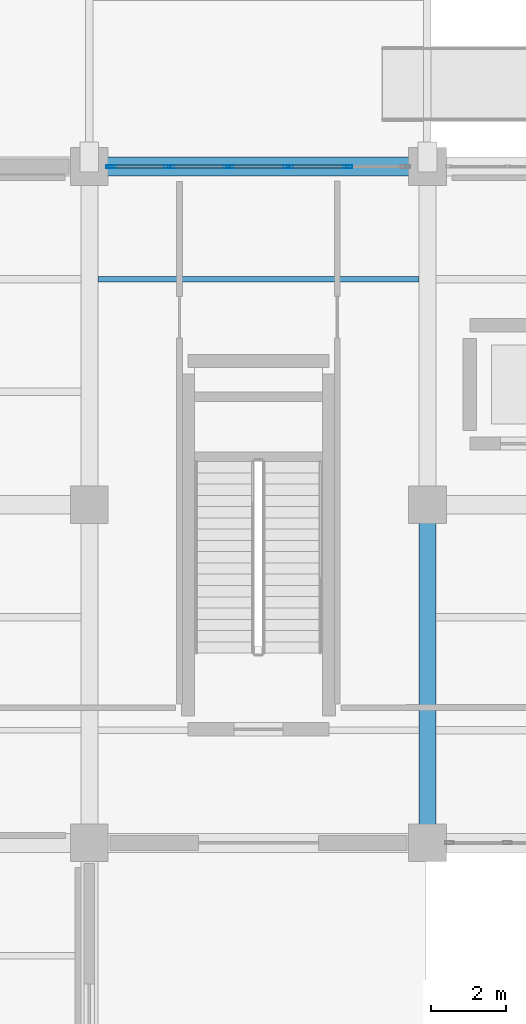
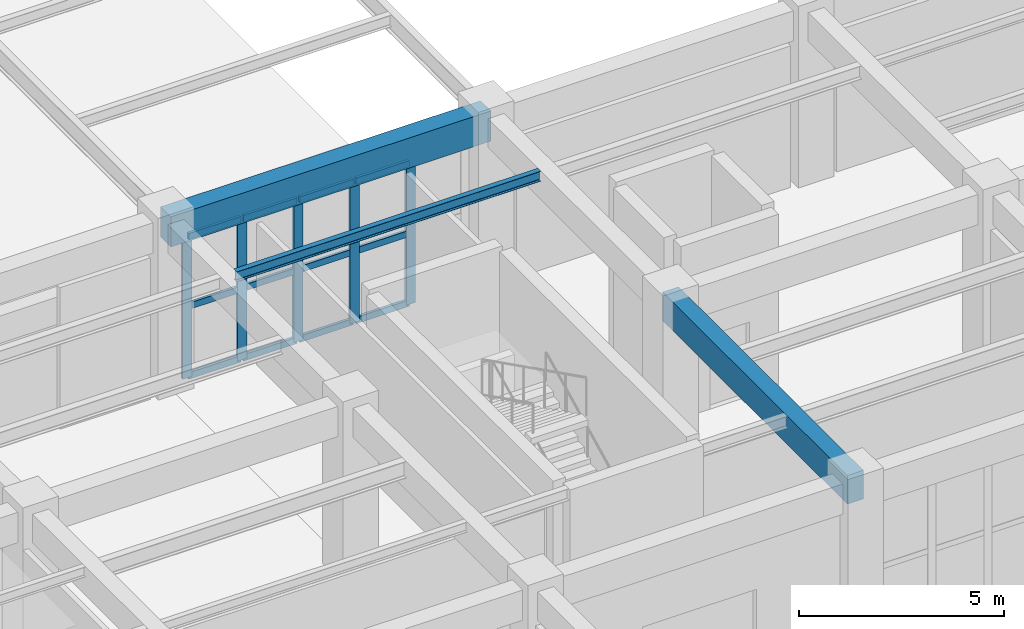
# One storey, part 80 of 140: 17 members, 3 beams, 1 element without a shape of its own.
"""IFC4 building model written with IfcOpenShell, lengths in metres."""

from ifc_helpers import new_model, si_unit, direction, frame, origin, origin_2d, place, context, subcontext, project, spatial, rectangle, hollow_rectangle, i_section, extrude, material, material_profile, profile_set, type_object, element, aggregate, save


model = new_model("IFC4")

# Units and contexts
model_context = context("Model", 3, precision=1e-05, world=origin(), true_north=direction((0.0, 1.0)))
body_context = subcontext(model_context, "Body", "Model", "MODEL_VIEW")
ifc_project = project(units=[si_unit("LENGTHUNIT", "METRE"), si_unit("AREAUNIT", "SQUARE_METRE"), si_unit("VOLUMEUNIT", "CUBIC_METRE"), si_unit("PLANEANGLEUNIT", "RADIAN"), si_unit("MASSUNIT", "GRAM", prefix="KILO")], contexts=[model_context])

# Site, building, storey
site_placement = place(None, origin())
site = spatial("IfcSite", under=ifc_project, at=site_placement, CompositionType="ELEMENT")
building_placement = place(site_placement, origin())
building = spatial("IfcBuilding", under=site, at=building_placement, Name="Haizhuo Lancet Aquarium", CompositionType="ELEMENT")
storey_placement = place(building_placement, origin())
storey = spatial("IfcBuildingStorey", under=building, at=storey_placement, Name="L00", CompositionType="ELEMENT", Elevation=0.0)

# Beams
ifc_material_1 = material(Name="Concrete C40/50", Category="concrete")
ifc_material_profile_1 = material_profile(ifc_material_1, rectangle(XDim=0.449951171875, YDim=0.85009765625, at=origin_2d()), Name="RC-BM 450x850")
ifc_profile_set_1 = profile_set([ifc_material_profile_1], Name="Concrete C40/50")
beam_type_1 = type_object("IfcBeamType", Name="BM-RC-450x850", PredefinedType="BEAM", material=ifc_profile_set_1)
beam_1_placement = place(storey_placement, frame((63.0, -27.0, 4.695068359375), z_axis=(0.0, 1.0, 0.0), x_axis=(-1.0, 0.0, 0.0)))
element("IfcBeam", 1, at=beam_1_placement, inside=storey, type_object=beam_type_1, Name="L00 V3 primary girder BM-L00-V3-026", PredefinedType="BEAM", context=body_context, shape_type="SweptSolid", body=[
    extrude(rectangle(XDim=0.449951171875, YDim=0.85009765625, at=origin_2d()), origin(), (0.0, 0.0, 1.0), 9.0),
])
ifc_material_profile_2 = material_profile(ifc_material_1, rectangle(XDim=0.5, YDim=0.89990234375, at=origin_2d()), Name="RC-BM 500x900")
ifc_profile_set_2 = profile_set([ifc_material_profile_2], Name="Concrete C40/50")
beam_type_2 = type_object("IfcBeamType", Name="BM-RC-500x900", PredefinedType="BEAM", material=ifc_profile_set_2)
beam_2_placement = place(storey_placement, frame((54.0, -9.0, 4.669921875), z_axis=(1.0, 0.0, 0.0), x_axis=(0.0, 1.0, 0.0)))
element("IfcBeam", 2, at=beam_2_placement, inside=storey, type_object=beam_type_2, Name="L00 V3 primary girder BM-L00-V3-025", PredefinedType="BEAM", context=body_context, shape_type="SweptSolid", body=[
    extrude(rectangle(XDim=0.5, YDim=0.89990234375, at=origin_2d()), origin(), (0.0, 0.0, 1.0), 9.0),
])

# Curtain wall, members
ifc_material_2 = material(Name="Aluminium 6063-T6", Category="aluminium")
curtain_wall_type = type_object("IfcCurtainWallType", Name="CWO-7910x4220", PredefinedType="NOTDEFINED", material=ifc_material_2)
curtain_wall_placement = place(storey_placement, origin())
curtain_wall = element("IfcCurtainWall", 3, at=curtain_wall_placement, inside=storey, type_object=curtain_wall_type, Name="L00 curtain wall CW-V3-L00-030", PredefinedType="NOTDEFINED")
ifc_material_profile_3 = material_profile(ifc_material_2, hollow_rectangle(XDim=0.080078125, YDim=0.260009765625, WallThickness=0.0048828125, at=origin_2d()), Name="ALU-M 80x260x5")
ifc_profile_set_3 = profile_set([ifc_material_profile_3], Name="Aluminium 6063-T6")
member_type_1 = type_object("IfcMemberType", Name="CW-MUL-3", PredefinedType="MULLION", material=ifc_profile_set_3)
member_1_placement = place(storey_placement, frame((54.5849609375, -9.0, 0.0), z_axis=(0.0, 0.0, 1.0), x_axis=(0.0, 1.0, 0.0)))
member_1 = element("IfcMember", 4, at=member_1_placement, type_object=member_type_1, Name="CWO-79x42 mullion 1", PredefinedType="MULLION", context=body_context, shape_type="SweptSolid", body=[
    extrude(hollow_rectangle(XDim=0.080078125, YDim=0.260009765625, WallThickness=0.0048828125, at=origin_2d()), origin(), (0.0, 0.0, 1.0), 4.219970703125),
])
member_2_placement = place(storey_placement, frame((56.126953125, -9.0, 0.0), z_axis=(0.0, 0.0, 1.0), x_axis=(0.0, 1.0, 0.0)))
member_2 = element("IfcMember", 5, at=member_2_placement, type_object=member_type_1, Name="CWO-79x42 mullion 2", PredefinedType="MULLION", context=body_context, shape_type="SweptSolid", body=[
    extrude(hollow_rectangle(XDim=0.080078125, YDim=0.260009765625, WallThickness=0.0048828125, at=origin_2d()), origin(), (0.0, 0.0, 1.0), 4.219970703125),
])
member_3_placement = place(storey_placement, frame((57.708984375, -9.0, 0.0), z_axis=(0.0, 0.0, 1.0), x_axis=(0.0, 1.0, 0.0)))
member_3 = element("IfcMember", 6, at=member_3_placement, type_object=member_type_1, Name="CWO-79x42 mullion 3", PredefinedType="MULLION", context=body_context, shape_type="SweptSolid", body=[
    extrude(hollow_rectangle(XDim=0.080078125, YDim=0.260009765625, WallThickness=0.0048828125, at=origin_2d()), origin(), (0.0, 0.0, 1.0), 4.219970703125),
])
member_4_placement = place(storey_placement, frame((59.291015625, -9.0, 0.0), z_axis=(0.0, 0.0, 1.0), x_axis=(0.0, 1.0, 0.0)))
member_4 = element("IfcMember", 7, at=member_4_placement, type_object=member_type_1, Name="CWO-79x42 mullion 4", PredefinedType="MULLION", context=body_context, shape_type="SweptSolid", body=[
    extrude(hollow_rectangle(XDim=0.080078125, YDim=0.260009765625, WallThickness=0.0048828125, at=origin_2d()), origin(), (0.0, 0.0, 1.0), 4.219970703125),
])
member_5_placement = place(storey_placement, frame((60.873046875, -9.0, 0.0), z_axis=(0.0, 0.0, 1.0), x_axis=(0.0, 1.0, 0.0)))
member_5 = element("IfcMember", 8, at=member_5_placement, type_object=member_type_1, Name="CWO-79x42 mullion 5", PredefinedType="MULLION", context=body_context, shape_type="SweptSolid", body=[
    extrude(hollow_rectangle(XDim=0.080078125, YDim=0.260009765625, WallThickness=0.0048828125, at=origin_2d()), origin(), (0.0, 0.0, 1.0), 4.219970703125),
])
ifc_material_profile_4 = material_profile(ifc_material_2, hollow_rectangle(XDim=0.080078125, YDim=0.18994140625, WallThickness=0.0048828125, at=origin_2d()), Name="ALU-T 80x190x5")
ifc_profile_set_4 = profile_set([ifc_material_profile_4], Name="Aluminium 6063-T6")
member_type_2 = type_object("IfcMemberType", Name="CW-TRN-3", PredefinedType="NOTDEFINED", material=ifc_profile_set_4)
member_6_placement = place(storey_placement, frame((54.625, -9.0, 0.0400390625), z_axis=(1.0, 0.0, 0.0), x_axis=(0.0, 1.0, 0.0)))
member_6 = element("IfcMember", 9, at=member_6_placement, type_object=member_type_2, Name="CWO-79x42 transom 1.1", ObjectType="TRANSOM", PredefinedType="USERDEFINED", context=body_context, shape_type="SweptSolid", body=[
    extrude(hollow_rectangle(XDim=0.080078125, YDim=0.18994140625, WallThickness=0.0048828125, at=origin_2d()), origin(), (0.0, 0.0, 1.0), 1.4619140625),
])
member_7_placement = place(storey_placement, frame((54.625, -9.0, 2.110107421875), z_axis=(1.0, 0.0, 0.0), x_axis=(0.0, 1.0, 0.0)))
member_7 = element("IfcMember", 10, at=member_7_placement, type_object=member_type_2, Name="CWO-79x42 transom 1.2", ObjectType="TRANSOM", PredefinedType="USERDEFINED", context=body_context, shape_type="SweptSolid", body=[
    extrude(hollow_rectangle(XDim=0.080078125, YDim=0.18994140625, WallThickness=0.0048828125, at=origin_2d()), origin(), (0.0, 0.0, 1.0), 1.4619140625),
])
member_8_placement = place(storey_placement, frame((54.625, -9.0, 4.179931640625), z_axis=(1.0, 0.0, 0.0), x_axis=(0.0, 1.0, 0.0)))
member_8 = element("IfcMember", 11, at=member_8_placement, type_object=member_type_2, Name="CWO-79x42 transom 1.3", ObjectType="TRANSOM", PredefinedType="USERDEFINED", context=body_context, shape_type="SweptSolid", body=[
    extrude(hollow_rectangle(XDim=0.080078125, YDim=0.18994140625, WallThickness=0.0048828125, at=origin_2d()), origin(), (0.0, 0.0, 1.0), 1.4619140625),
])
member_9_placement = place(storey_placement, frame((56.1669921875, -9.0, 0.0400390625), z_axis=(1.0, 0.0, 0.0), x_axis=(0.0, 1.0, 0.0)))
member_9 = element("IfcMember", 12, at=member_9_placement, type_object=member_type_2, Name="CWO-79x42 transom 2.1", ObjectType="TRANSOM", PredefinedType="USERDEFINED", context=body_context, shape_type="SweptSolid", body=[
    extrude(hollow_rectangle(XDim=0.080078125, YDim=0.18994140625, WallThickness=0.0048828125, at=origin_2d()), origin(), (0.0, 0.0, 1.0), 1.501953125),
])
member_10_placement = place(storey_placement, frame((56.1669921875, -9.0, 2.110107421875), z_axis=(1.0, 0.0, 0.0), x_axis=(0.0, 1.0, 0.0)))
member_10 = element("IfcMember", 13, at=member_10_placement, type_object=member_type_2, Name="CWO-79x42 transom 2.2", ObjectType="TRANSOM", PredefinedType="USERDEFINED", context=body_context, shape_type="SweptSolid", body=[
    extrude(hollow_rectangle(XDim=0.080078125, YDim=0.18994140625, WallThickness=0.0048828125, at=origin_2d()), origin(), (0.0, 0.0, 1.0), 1.501953125),
])
member_11_placement = place(storey_placement, frame((56.1669921875, -9.0, 4.179931640625), z_axis=(1.0, 0.0, 0.0), x_axis=(0.0, 1.0, 0.0)))
member_11 = element("IfcMember", 14, at=member_11_placement, type_object=member_type_2, Name="CWO-79x42 transom 2.3", ObjectType="TRANSOM", PredefinedType="USERDEFINED", context=body_context, shape_type="SweptSolid", body=[
    extrude(hollow_rectangle(XDim=0.080078125, YDim=0.18994140625, WallThickness=0.0048828125, at=origin_2d()), origin(), (0.0, 0.0, 1.0), 1.501953125),
])
member_12_placement = place(storey_placement, frame((57.7490234375, -9.0, 0.0400390625), z_axis=(1.0, 0.0, 0.0), x_axis=(0.0, 1.0, 0.0)))
member_12 = element("IfcMember", 15, at=member_12_placement, type_object=member_type_2, Name="CWO-79x42 transom 3.1", ObjectType="TRANSOM", PredefinedType="USERDEFINED", context=body_context, shape_type="SweptSolid", body=[
    extrude(hollow_rectangle(XDim=0.080078125, YDim=0.18994140625, WallThickness=0.0048828125, at=origin_2d()), origin(), (0.0, 0.0, 1.0), 1.501953125),
])
member_13_placement = place(storey_placement, frame((57.7490234375, -9.0, 2.110107421875), z_axis=(1.0, 0.0, 0.0), x_axis=(0.0, 1.0, 0.0)))
member_13 = element("IfcMember", 16, at=member_13_placement, type_object=member_type_2, Name="CWO-79x42 transom 3.2", ObjectType="TRANSOM", PredefinedType="USERDEFINED", context=body_context, shape_type="SweptSolid", body=[
    extrude(hollow_rectangle(XDim=0.080078125, YDim=0.18994140625, WallThickness=0.0048828125, at=origin_2d()), origin(), (0.0, 0.0, 1.0), 1.501953125),
])
member_14_placement = place(storey_placement, frame((57.7490234375, -9.0, 4.179931640625), z_axis=(1.0, 0.0, 0.0), x_axis=(0.0, 1.0, 0.0)))
member_14 = element("IfcMember", 17, at=member_14_placement, type_object=member_type_2, Name="CWO-79x42 transom 3.3", ObjectType="TRANSOM", PredefinedType="USERDEFINED", context=body_context, shape_type="SweptSolid", body=[
    extrude(hollow_rectangle(XDim=0.080078125, YDim=0.18994140625, WallThickness=0.0048828125, at=origin_2d()), origin(), (0.0, 0.0, 1.0), 1.501953125),
])
member_15_placement = place(storey_placement, frame((59.3310546875, -9.0, 0.0400390625), z_axis=(1.0, 0.0, 0.0), x_axis=(0.0, 1.0, 0.0)))
member_15 = element("IfcMember", 18, at=member_15_placement, type_object=member_type_2, Name="CWO-79x42 transom 4.1", ObjectType="TRANSOM", PredefinedType="USERDEFINED", context=body_context, shape_type="SweptSolid", body=[
    extrude(hollow_rectangle(XDim=0.080078125, YDim=0.18994140625, WallThickness=0.0048828125, at=origin_2d()), origin(), (0.0, 0.0, 1.0), 1.501953125),
])
member_16_placement = place(storey_placement, frame((59.3310546875, -9.0, 2.110107421875), z_axis=(1.0, 0.0, 0.0), x_axis=(0.0, 1.0, 0.0)))
member_16 = element("IfcMember", 19, at=member_16_placement, type_object=member_type_2, Name="CWO-79x42 transom 4.2", ObjectType="TRANSOM", PredefinedType="USERDEFINED", context=body_context, shape_type="SweptSolid", body=[
    extrude(hollow_rectangle(XDim=0.080078125, YDim=0.18994140625, WallThickness=0.0048828125, at=origin_2d()), origin(), (0.0, 0.0, 1.0), 1.501953125),
])
member_17_placement = place(storey_placement, frame((59.3310546875, -9.0, 4.179931640625), z_axis=(1.0, 0.0, 0.0), x_axis=(0.0, 1.0, 0.0)))
member_17 = element("IfcMember", 20, at=member_17_placement, type_object=member_type_2, Name="CWO-79x42 transom 4.3", ObjectType="TRANSOM", PredefinedType="USERDEFINED", context=body_context, shape_type="SweptSolid", body=[
    extrude(hollow_rectangle(XDim=0.080078125, YDim=0.18994140625, WallThickness=0.0048828125, at=origin_2d()), origin(), (0.0, 0.0, 1.0), 1.501953125),
])
aggregate(curtain_wall, [member_1, member_2, member_3, member_4, member_5, member_6, member_7, member_8, member_9, member_10, member_11, member_12, member_13, member_14, member_15, member_16, member_17])

# Beam
ifc_material_3 = material(Name="Steel S355", Category="steel")
ifc_material_profile_5 = material_profile(ifc_material_3, i_section(OverallWidth=0.14990234375, OverallDepth=0.300048828125, WebThickness=0.006591796875, FlangeThickness=0.009033203125, FilletRadius=0.012939453125, at=origin_2d()), Name="HN 300x150x6.5x9")
ifc_profile_set_5 = profile_set([ifc_material_profile_5], Name="Steel S355")
beam_type_3 = type_object("IfcBeamType", Name="JST-ST-HN300", PredefinedType="JOIST", material=ifc_profile_set_5)
beam_3_placement = place(storey_placement, frame((54.22509765625, -12.0, 4.969970703125), z_axis=(1.0, 0.0, 0.0), x_axis=(0.0, 1.0, 0.0)))
element("IfcBeam", 21, at=beam_3_placement, inside=storey, type_object=beam_type_3, Name="L00 V3 secondary floor joist 18", PredefinedType="JOIST", context=body_context, shape_type="SweptSolid", body=[
    extrude(i_section(OverallWidth=0.14990234375, OverallDepth=0.300048828125, WebThickness=0.006591796875, FlangeThickness=0.009033203125, FilletRadius=0.012939453125, at=origin_2d()), origin(), (0.0, 0.0, 1.0), 8.5498046875),
])

save(model, "model.ifc")
